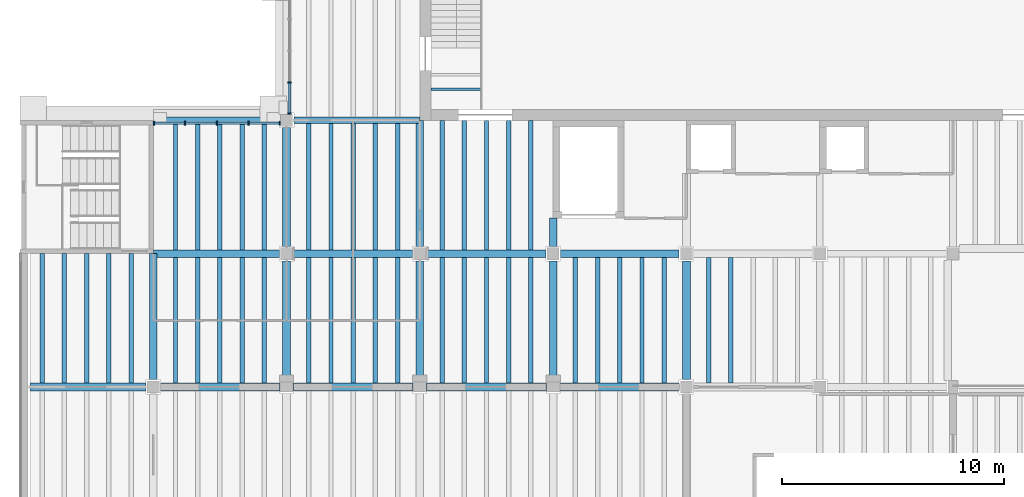
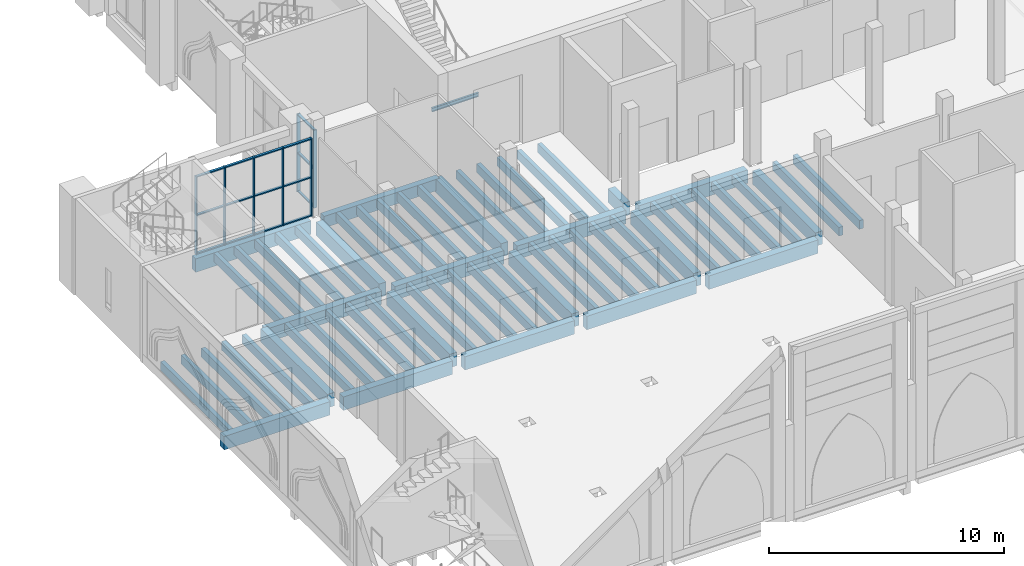
# One storey, part 3 of 80: 62 beams, 22 members, 2 elements without a shape of their own.
"""IFC4 building model written with IfcOpenShell, lengths in metres."""

from ifc_helpers import new_model, si_unit, direction, frame, origin, origin_2d, place, context, subcontext, project, spatial, rectangle, i_section, extrude, material, material_profile, profile_set, type_object, element, aggregate, save


model = new_model("IFC4")

# Units and contexts
model_context = context("Model", 3, precision=1e-05, world=origin(), true_north=direction((0.0, 1.0)))
body_context = subcontext(model_context, "Body", "Model", "MODEL_VIEW")
ifc_project = project(units=[si_unit("LENGTHUNIT", "METRE"), si_unit("AREAUNIT", "SQUARE_METRE"), si_unit("VOLUMEUNIT", "CUBIC_METRE"), si_unit("PLANEANGLEUNIT", "RADIAN"), si_unit("MASSUNIT", "GRAM", prefix="KILO")], contexts=[model_context])

# Site, building, storey
site_placement = place(None, origin())
site = spatial("IfcSite", under=ifc_project, at=site_placement, CompositionType="ELEMENT")
building_placement = place(site_placement, origin())
building = spatial("IfcBuilding", under=site, at=building_placement, Name="Saffron Lane Theatres", CompositionType="ELEMENT")
storey_placement = place(building_placement, frame((0.0, 0.0, 7.0)))
storey = spatial("IfcBuildingStorey", under=building, at=storey_placement, Name="L01", CompositionType="ELEMENT", Elevation=7.0)

# Curtain wall, members
ifc_material_1 = material(Name="Aluminium", Category="aluminium")
curtain_wall_type_1 = type_object("IfcCurtainWallType", Name="EX-CURTAIN WALL 5720x4050x160", PredefinedType="NOTDEFINED", material=ifc_material_1)
curtain_wall_1_placement = place(storey_placement, origin())
curtain_wall_1 = element("IfcCurtainWall", 1, at=curtain_wall_1_placement, inside=storey, type_object=curtain_wall_type_1, Name="Curtain wall L01 01", PredefinedType="NOTDEFINED")
ifc_material_2 = material(Name="Aluminium", Category="aluminium")
ifc_material_profile_1 = material_profile(ifc_material_2, rectangle(XDim=0.06005859375, YDim=0.159912109375, at=origin_2d()))
ifc_profile_set_1 = profile_set([ifc_material_profile_1], Name="Aluminium")
member_type_1 = type_object("IfcMemberType", Name="EX-CW MULLION 60x160", PredefinedType="MULLION", material=ifc_profile_set_1)
member_1_placement = place(storey_placement, frame((6.030029296875, 29.8701171875, 0.0), z_axis=(0.0, 0.0, 1.0), x_axis=(1.0, 0.0, 0.0)))
member_1 = element("IfcMember", 2, at=member_1_placement, type_object=member_type_1, Name="CW-01-01 mullion 1", PredefinedType="MULLION", context=body_context, shape_type="SweptSolid", body=[
    extrude(rectangle(XDim=0.06005859375, YDim=0.159912109375, at=origin_2d()), origin(), (0.0, 0.0, 1.0), 4.050048828125),
])
member_2_placement = place(storey_placement, frame((7.43115234375, 29.8701171875, 0.0), z_axis=(0.0, 0.0, 1.0), x_axis=(1.0, 0.0, 0.0)))
member_2 = element("IfcMember", 3, at=member_2_placement, type_object=member_type_1, Name="CW-01-01 mullion 2", PredefinedType="MULLION", context=body_context, shape_type="SweptSolid", body=[
    extrude(rectangle(XDim=0.06005859375, YDim=0.159912109375, at=origin_2d()), origin(), (0.0, 0.0, 1.0), 4.050048828125),
])
member_3_placement = place(storey_placement, frame((8.862548828125, 29.8701171875, 0.0), z_axis=(0.0, 0.0, 1.0), x_axis=(1.0, 0.0, 0.0)))
member_3 = element("IfcMember", 4, at=member_3_placement, type_object=member_type_1, Name="CW-01-01 mullion 3", PredefinedType="MULLION", context=body_context, shape_type="SweptSolid", body=[
    extrude(rectangle(XDim=0.06005859375, YDim=0.159912109375, at=origin_2d()), origin(), (0.0, 0.0, 1.0), 4.050048828125),
])
member_4_placement = place(storey_placement, frame((10.293701171875, 29.8701171875, 0.0), z_axis=(0.0, 0.0, 1.0), x_axis=(1.0, 0.0, 0.0)))
member_4 = element("IfcMember", 5, at=member_4_placement, type_object=member_type_1, Name="CW-01-01 mullion 4", PredefinedType="MULLION", context=body_context, shape_type="SweptSolid", body=[
    extrude(rectangle(XDim=0.06005859375, YDim=0.159912109375, at=origin_2d()), origin(), (0.0, 0.0, 1.0), 4.050048828125),
])
member_5_placement = place(storey_placement, frame((11.695068359375, 29.8701171875, 0.0), z_axis=(0.0, 0.0, 1.0), x_axis=(1.0, 0.0, 0.0)))
member_5 = element("IfcMember", 6, at=member_5_placement, type_object=member_type_1, Name="CW-01-01 mullion 5", PredefinedType="MULLION", context=body_context, shape_type="SweptSolid", body=[
    extrude(rectangle(XDim=0.06005859375, YDim=0.159912109375, at=origin_2d()), origin(), (0.0, 0.0, 1.0), 4.050048828125),
])

ifc_material_3 = material(Name="Aluminium", Category="aluminium")
curtain_wall_type_2 = type_object("IfcCurtainWallType", Name="EX-CURTAIN WALL 5730x4050x160", PredefinedType="NOTDEFINED", material=ifc_material_3)
curtain_wall_2_placement = place(storey_placement, origin())
curtain_wall_2 = element("IfcCurtainWall", 7, at=curtain_wall_2_placement, inside=storey, type_object=curtain_wall_type_2, Name="Curtain wall L01 02", PredefinedType="NOTDEFINED")
member_6_placement = place(storey_placement, frame((12.1298828125, 30.304931640625, 0.0), z_axis=(0.0, 0.0, 1.0), x_axis=(0.0, 1.0, 0.0)))
member_6 = element("IfcMember", 8, at=member_6_placement, type_object=member_type_1, Name="CW-01-02 mullion 1", PredefinedType="MULLION", context=body_context, shape_type="SweptSolid", body=[
    extrude(rectangle(XDim=0.06005859375, YDim=0.159912109375, at=origin_2d()), origin(), (0.0, 0.0, 1.0), 4.050048828125),
])
member_7_placement = place(storey_placement, frame((12.1298828125, 31.706298828125, 0.0), z_axis=(0.0, 0.0, 1.0), x_axis=(0.0, 1.0, 0.0)))
member_7 = element("IfcMember", 9, at=member_7_placement, type_object=member_type_1, Name="CW-01-02 mullion 2", PredefinedType="MULLION", context=body_context, shape_type="SweptSolid", body=[
    extrude(rectangle(XDim=0.06005859375, YDim=0.159912109375, at=origin_2d()), origin(), (0.0, 0.0, 1.0), 4.050048828125),
])

# Member
ifc_material_4 = material(Name="Aluminium", Category="aluminium")
ifc_material_profile_2 = material_profile(ifc_material_4, rectangle(XDim=0.1201171875, YDim=0.06005859375, at=origin_2d()))
ifc_profile_set_2 = profile_set([ifc_material_profile_2], Name="Aluminium")
member_type_2 = type_object("IfcMemberType", Name="EX-CW TRANSOM 120x60", PredefinedType="USERDEFINED", material=ifc_profile_set_2)
member_8_placement = place(storey_placement, frame((6.06005859375, 29.8701171875, 0.030029296875), z_axis=(1.0, 0.0, 0.0), x_axis=(0.0, 1.0, 0.0)))
member_8 = element("IfcMember", 10, at=member_8_placement, type_object=member_type_2, Name="CW-01-01 transom 1.1", ObjectType="TRANSOM", PredefinedType="USERDEFINED", context=body_context, shape_type="SweptSolid", body=[
    extrude(rectangle(XDim=0.1201171875, YDim=0.06005859375, at=origin_2d()), origin(), (0.0, 0.0, 1.0), 1.34130859375),
])

member_9_placement = place(storey_placement, frame((6.06005859375, 29.8701171875, 2.02490234375), z_axis=(1.0, 0.0, 0.0), x_axis=(0.0, 1.0, 0.0)))
member_9 = element("IfcMember", 11, at=member_9_placement, type_object=member_type_2, Name="CW-01-01 transom 1.2", ObjectType="TRANSOM", PredefinedType="USERDEFINED", context=body_context, shape_type="SweptSolid", body=[
    extrude(rectangle(XDim=0.1201171875, YDim=0.06005859375, at=origin_2d()), origin(), (0.0, 0.0, 1.0), 1.34130859375),
])

member_10_placement = place(storey_placement, frame((6.06005859375, 29.8701171875, 4.02001953125), z_axis=(1.0, 0.0, 0.0), x_axis=(0.0, 1.0, 0.0)))
member_10 = element("IfcMember", 12, at=member_10_placement, type_object=member_type_2, Name="CW-01-01 transom 1.3", ObjectType="TRANSOM", PredefinedType="USERDEFINED", context=body_context, shape_type="SweptSolid", body=[
    extrude(rectangle(XDim=0.1201171875, YDim=0.06005859375, at=origin_2d()), origin(), (0.0, 0.0, 1.0), 1.34130859375),
])

member_11_placement = place(storey_placement, frame((7.461181640625, 29.8701171875, 0.030029296875), z_axis=(1.0, 0.0, 0.0), x_axis=(0.0, 1.0, 0.0)))
member_11 = element("IfcMember", 13, at=member_11_placement, type_object=member_type_2, Name="CW-01-01 transom 2.1", ObjectType="TRANSOM", PredefinedType="USERDEFINED", context=body_context, shape_type="SweptSolid", body=[
    extrude(rectangle(XDim=0.1201171875, YDim=0.06005859375, at=origin_2d()), origin(), (0.0, 0.0, 1.0), 1.371337890625),
])

member_12_placement = place(storey_placement, frame((7.461181640625, 29.8701171875, 2.02490234375), z_axis=(1.0, 0.0, 0.0), x_axis=(0.0, 1.0, 0.0)))
member_12 = element("IfcMember", 14, at=member_12_placement, type_object=member_type_2, Name="CW-01-01 transom 2.2", ObjectType="TRANSOM", PredefinedType="USERDEFINED", context=body_context, shape_type="SweptSolid", body=[
    extrude(rectangle(XDim=0.1201171875, YDim=0.06005859375, at=origin_2d()), origin(), (0.0, 0.0, 1.0), 1.371337890625),
])

member_13_placement = place(storey_placement, frame((7.461181640625, 29.8701171875, 4.02001953125), z_axis=(1.0, 0.0, 0.0), x_axis=(0.0, 1.0, 0.0)))
member_13 = element("IfcMember", 15, at=member_13_placement, type_object=member_type_2, Name="CW-01-01 transom 2.3", ObjectType="TRANSOM", PredefinedType="USERDEFINED", context=body_context, shape_type="SweptSolid", body=[
    extrude(rectangle(XDim=0.1201171875, YDim=0.06005859375, at=origin_2d()), origin(), (0.0, 0.0, 1.0), 1.371337890625),
])

member_14_placement = place(storey_placement, frame((8.892578125, 29.8701171875, 0.030029296875), z_axis=(1.0, 0.0, 0.0), x_axis=(0.0, 1.0, 0.0)))
member_14 = element("IfcMember", 16, at=member_14_placement, type_object=member_type_2, Name="CW-01-01 transom 3.1", ObjectType="TRANSOM", PredefinedType="USERDEFINED", context=body_context, shape_type="SweptSolid", body=[
    extrude(rectangle(XDim=0.1201171875, YDim=0.06005859375, at=origin_2d()), origin(), (0.0, 0.0, 1.0), 1.371337890625),
])

member_15_placement = place(storey_placement, frame((8.892578125, 29.8701171875, 2.02490234375), z_axis=(1.0, 0.0, 0.0), x_axis=(0.0, 1.0, 0.0)))
member_15 = element("IfcMember", 17, at=member_15_placement, type_object=member_type_2, Name="CW-01-01 transom 3.2", ObjectType="TRANSOM", PredefinedType="USERDEFINED", context=body_context, shape_type="SweptSolid", body=[
    extrude(rectangle(XDim=0.1201171875, YDim=0.06005859375, at=origin_2d()), origin(), (0.0, 0.0, 1.0), 1.371337890625),
])

member_16_placement = place(storey_placement, frame((8.892578125, 29.8701171875, 4.02001953125), z_axis=(1.0, 0.0, 0.0), x_axis=(0.0, 1.0, 0.0)))
member_16 = element("IfcMember", 18, at=member_16_placement, type_object=member_type_2, Name="CW-01-01 transom 3.3", ObjectType="TRANSOM", PredefinedType="USERDEFINED", context=body_context, shape_type="SweptSolid", body=[
    extrude(rectangle(XDim=0.1201171875, YDim=0.06005859375, at=origin_2d()), origin(), (0.0, 0.0, 1.0), 1.371337890625),
])

member_17_placement = place(storey_placement, frame((10.32373046875, 29.8701171875, 0.030029296875), z_axis=(1.0, 0.0, 0.0), x_axis=(0.0, 1.0, 0.0)))
member_17 = element("IfcMember", 19, at=member_17_placement, type_object=member_type_2, Name="CW-01-01 transom 4.1", ObjectType="TRANSOM", PredefinedType="USERDEFINED", context=body_context, shape_type="SweptSolid", body=[
    extrude(rectangle(XDim=0.1201171875, YDim=0.06005859375, at=origin_2d()), origin(), (0.0, 0.0, 1.0), 1.34130859375),
])

member_18_placement = place(storey_placement, frame((10.32373046875, 29.8701171875, 2.02490234375), z_axis=(1.0, 0.0, 0.0), x_axis=(0.0, 1.0, 0.0)))
member_18 = element("IfcMember", 20, at=member_18_placement, type_object=member_type_2, Name="CW-01-01 transom 4.2", ObjectType="TRANSOM", PredefinedType="USERDEFINED", context=body_context, shape_type="SweptSolid", body=[
    extrude(rectangle(XDim=0.1201171875, YDim=0.06005859375, at=origin_2d()), origin(), (0.0, 0.0, 1.0), 1.34130859375),
])

member_19_placement = place(storey_placement, frame((10.32373046875, 29.8701171875, 4.02001953125), z_axis=(1.0, 0.0, 0.0), x_axis=(0.0, 1.0, 0.0)))
member_19 = element("IfcMember", 21, at=member_19_placement, type_object=member_type_2, Name="CW-01-01 transom 4.3", ObjectType="TRANSOM", PredefinedType="USERDEFINED", context=body_context, shape_type="SweptSolid", body=[
    extrude(rectangle(XDim=0.1201171875, YDim=0.06005859375, at=origin_2d()), origin(), (0.0, 0.0, 1.0), 1.34130859375),
])

aggregate(curtain_wall_1, [member_1, member_2, member_3, member_4, member_5, member_8, member_9, member_10, member_11, member_12, member_13, member_14, member_15, member_16, member_17, member_18, member_19])

member_20_placement = place(storey_placement, frame((12.1298828125, 30.3349609375, 0.030029296875), z_axis=(0.0, 1.0, 0.0), x_axis=(-1.0, 0.0, 0.0)))
member_20 = element("IfcMember", 22, at=member_20_placement, type_object=member_type_2, Name="CW-01-02 transom 1.1", ObjectType="TRANSOM", PredefinedType="USERDEFINED", context=body_context, shape_type="SweptSolid", body=[
    extrude(rectangle(XDim=0.1201171875, YDim=0.06005859375, at=origin_2d()), origin(), (0.0, 0.0, 1.0), 1.34130859375),
])

member_21_placement = place(storey_placement, frame((12.1298828125, 30.3349609375, 2.02490234375), z_axis=(0.0, 1.0, 0.0), x_axis=(-1.0, 0.0, 0.0)))
member_21 = element("IfcMember", 23, at=member_21_placement, type_object=member_type_2, Name="CW-01-02 transom 1.2", ObjectType="TRANSOM", PredefinedType="USERDEFINED", context=body_context, shape_type="SweptSolid", body=[
    extrude(rectangle(XDim=0.1201171875, YDim=0.06005859375, at=origin_2d()), origin(), (0.0, 0.0, 1.0), 1.34130859375),
])

member_22_placement = place(storey_placement, frame((12.1298828125, 30.3349609375, 4.02001953125), z_axis=(0.0, 1.0, 0.0), x_axis=(-1.0, 0.0, 0.0)))
member_22 = element("IfcMember", 24, at=member_22_placement, type_object=member_type_2, Name="CW-01-02 transom 1.3", ObjectType="TRANSOM", PredefinedType="USERDEFINED", context=body_context, shape_type="SweptSolid", body=[
    extrude(rectangle(XDim=0.1201171875, YDim=0.06005859375, at=origin_2d()), origin(), (0.0, 0.0, 1.0), 1.34130859375),
])

aggregate(curtain_wall_2, [member_6, member_7, member_20, member_21, member_22])

# Beams
ifc_material_5 = material(Name="Concrete N40 (40 MPa)", Category="concrete")
ifc_material_profile_3 = material_profile(ifc_material_5, rectangle(XDim=0.300048828125, YDim=0.60009765625, at=origin_2d()))
ifc_profile_set_3 = profile_set([ifc_material_profile_3], Name="Concrete N40 (40 MPa)")
beam_type_1 = type_object("IfcBeamType", Name="RC-BEAM 300x600", PredefinedType="BEAM", material=ifc_profile_set_3)
beam_1_placement = place(storey_placement, frame((12.324951171875, 30.0, -0.550048828125), z_axis=(1.0, 0.0, 0.0), x_axis=(0.0, 1.0, 0.0)))
element("IfcBeam", 25, at=beam_1_placement, inside=storey, type_object=beam_type_1, Name="beam-L01-x300-123", PredefinedType="BEAM", context=body_context, shape_type="SweptSolid", body=[
    extrude(rectangle(XDim=0.300048828125, YDim=0.60009765625, at=origin_2d()), origin(), (0.0, 0.0, 1.0), 5.675048828125),
])
ifc_material_6 = material(Name="Concrete N40 (40 MPa)", Category="concrete")
ifc_material_profile_4 = material_profile(ifc_material_6, rectangle(XDim=0.300048828125, YDim=0.699951171875, at=origin_2d()))
ifc_profile_set_4 = profile_set([ifc_material_profile_4], Name="Concrete N40 (40 MPa)")
beam_type_2 = type_object("IfcBeamType", Name="RC-BEAM 300x700", PredefinedType="BEAM", material=ifc_profile_set_4)
beam_2_placement = place(storey_placement, frame((6.0, 30.0, -0.60009765625), z_axis=(1.0, 0.0, 0.0), x_axis=(0.0, 1.0, 0.0)))
element("IfcBeam", 26, at=beam_2_placement, inside=storey, type_object=beam_type_2, Name="beam-L01-x300-60", PredefinedType="BEAM", context=body_context, shape_type="SweptSolid", body=[
    extrude(rectangle(XDim=0.300048828125, YDim=0.699951171875, at=origin_2d()), origin(), (0.0, 0.0, 1.0), 5.675048828125),
])
ifc_material_7 = material(Name="Concrete N40 (40 MPa)", Category="concrete")
ifc_material_profile_5 = material_profile(ifc_material_7, rectangle(XDim=0.35009765625, YDim=0.699951171875, at=origin_2d()))
ifc_profile_set_5 = profile_set([ifc_material_profile_5], Name="Concrete N40 (40 MPa)")
beam_type_3 = type_object("IfcBeamType", Name="RC-BEAM 350x700", PredefinedType="BEAM", material=ifc_profile_set_5)
beam_3_placement = place(storey_placement, frame((0.4599609375, 18.0, -0.60009765625), z_axis=(1.0, 0.0, 0.0), x_axis=(0.0, 1.0, 0.0)))
element("IfcBeam", 27, at=beam_3_placement, inside=storey, type_object=beam_type_3, Name="beam-L01-x180-5", PredefinedType="BEAM", context=body_context, shape_type="SweptSolid", body=[
    extrude(rectangle(XDim=0.35009765625, YDim=0.699951171875, at=origin_2d()), origin(), (0.0, 0.0, 1.0), 5.215087890625),
])
beam_4_placement = place(storey_placement, frame((6.324951171875, 18.0, -0.60009765625), z_axis=(1.0, 0.0, 0.0), x_axis=(0.0, 1.0, 0.0)))
element("IfcBeam", 28, at=beam_4_placement, inside=storey, type_object=beam_type_3, Name="beam-L01-x180-63", PredefinedType="BEAM", context=body_context, shape_type="SweptSolid", body=[
    extrude(rectangle(XDim=0.35009765625, YDim=0.699951171875, at=origin_2d()), origin(), (0.0, 0.0, 1.0), 5.375),
])
for number, where, z_axis, x_axis, name in (
    (29, (12.300048828125, 18.0, -0.60009765625), (1.0, 0.0, 0.0), (0.0, 1.0, 0.0), "beam-L01-x180-123"),
    (30, (18.300048828125, 18.0, -0.60009765625), (1.0, 0.0, 0.0), (0.0, 1.0, 0.0), "beam-L01-x180-183"),
):
    element("IfcBeam", number, at=place(storey_placement, frame(where, z_axis=z_axis, x_axis=x_axis)), inside=storey, type_object=beam_type_3, Name=name, PredefinedType="BEAM", context=body_context, shape_type="SweptSolid", body=[
        extrude(rectangle(XDim=0.35009765625, YDim=0.699951171875, at=origin_2d()), origin(), (0.0, 0.0, 1.0), 5.39990234375),
    ])
beam_5_placement = place(storey_placement, frame((24.300048828125, 18.0, -0.60009765625), z_axis=(1.0, 0.0, 0.0), x_axis=(0.0, 1.0, 0.0)))
element("IfcBeam", 31, at=beam_5_placement, inside=storey, type_object=beam_type_3, Name="beam-L01-x180-243", PredefinedType="BEAM", context=body_context, shape_type="SweptSolid", body=[
    extrude(rectangle(XDim=0.35009765625, YDim=0.699951171875, at=origin_2d()), origin(), (0.0, 0.0, 1.0), 5.375),
])
beam_6_placement = place(storey_placement, frame((6.0, 24.0, -0.60009765625), z_axis=(1.0, 0.0, 0.0), x_axis=(0.0, 1.0, 0.0)))
element("IfcBeam", 32, at=beam_6_placement, inside=storey, type_object=beam_type_3, Name="beam-L01-x240-60", PredefinedType="BEAM", context=body_context, shape_type="SweptSolid", body=[
    extrude(rectangle(XDim=0.35009765625, YDim=0.699951171875, at=origin_2d()), origin(), (0.0, 0.0, 1.0), 5.675048828125),
])
for number, where, z_axis, x_axis, name in (
    (33, (12.324951171875, 24.0, -0.60009765625), (1.0, 0.0, 0.0), (0.0, 1.0, 0.0), "beam-L01-x240-123"),
    (34, (18.324951171875, 24.0, -0.60009765625), (1.0, 0.0, 0.0), (0.0, 1.0, 0.0), "beam-L01-x240-183"),
    (35, (24.324951171875, 24.0, -0.60009765625), (1.0, 0.0, 0.0), (0.0, 1.0, 0.0), "beam-L01-x240-243"),
):
    element("IfcBeam", number, at=place(storey_placement, frame(where, z_axis=z_axis, x_axis=x_axis)), inside=storey, type_object=beam_type_3, Name=name, PredefinedType="BEAM", context=body_context, shape_type="SweptSolid", body=[
        extrude(rectangle(XDim=0.35009765625, YDim=0.699951171875, at=origin_2d()), origin(), (0.0, 0.0, 1.0), 5.35009765625),
    ])
beam_7_placement = place(storey_placement, frame((6.0, 18.324951171875, -0.60009765625), z_axis=(0.0, 1.0, 0.0), x_axis=(-1.0, 0.0, 0.0)))
element("IfcBeam", 36, at=beam_7_placement, inside=storey, type_object=beam_type_3, Name="beam-L01-y60-183", PredefinedType="BEAM", context=body_context, shape_type="SweptSolid", body=[
    extrude(rectangle(XDim=0.35009765625, YDim=0.699951171875, at=origin_2d()), origin(), (0.0, 0.0, 1.0), 5.675048828125),
])
beam_8_placement = place(storey_placement, frame((12.0, 18.300048828125, -0.60009765625), z_axis=(0.0, 1.0, 0.0), x_axis=(-1.0, 0.0, 0.0)))
element("IfcBeam", 37, at=beam_8_placement, inside=storey, type_object=beam_type_3, Name="beam-L01-y120-183", PredefinedType="BEAM", context=body_context, shape_type="SweptSolid", body=[
    extrude(rectangle(XDim=0.35009765625, YDim=0.699951171875, at=origin_2d()), origin(), (0.0, 0.0, 1.0), 5.375),
])
beam_9_placement = place(storey_placement, frame((12.0, 24.324951171875, -0.60009765625), z_axis=(0.0, 1.0, 0.0), x_axis=(-1.0, 0.0, 0.0)))
element("IfcBeam", 38, at=beam_9_placement, inside=storey, type_object=beam_type_3, Name="beam-L01-y120-243", PredefinedType="BEAM", context=body_context, shape_type="SweptSolid", body=[
    extrude(rectangle(XDim=0.35009765625, YDim=0.699951171875, at=origin_2d()), origin(), (0.0, 0.0, 1.0), 5.35009765625),
])
beam_10_placement = place(storey_placement, frame((18.0, 18.300048828125, -0.60009765625), z_axis=(0.0, 1.0, 0.0), x_axis=(-1.0, 0.0, 0.0)))
element("IfcBeam", 39, at=beam_10_placement, inside=storey, type_object=beam_type_3, Name="beam-L01-y180-183", PredefinedType="BEAM", context=body_context, shape_type="SweptSolid", body=[
    extrude(rectangle(XDim=0.35009765625, YDim=0.699951171875, at=origin_2d()), origin(), (0.0, 0.0, 1.0), 5.375),
])
beam_11_placement = place(storey_placement, frame((18.0, 24.324951171875, -0.60009765625), z_axis=(0.0, 1.0, 0.0), x_axis=(-1.0, 0.0, 0.0)))
element("IfcBeam", 40, at=beam_11_placement, inside=storey, type_object=beam_type_3, Name="beam-L01-y180-243", PredefinedType="BEAM", context=body_context, shape_type="SweptSolid", body=[
    extrude(rectangle(XDim=0.35009765625, YDim=0.699951171875, at=origin_2d()), origin(), (0.0, 0.0, 1.0), 5.675048828125),
])
beam_12_placement = place(storey_placement, frame((24.0, 18.300048828125, -0.60009765625), z_axis=(0.0, 1.0, 0.0), x_axis=(-1.0, 0.0, 0.0)))
element("IfcBeam", 41, at=beam_12_placement, inside=storey, type_object=beam_type_3, Name="beam-L01-y240-183", PredefinedType="BEAM", context=body_context, shape_type="SweptSolid", body=[
    extrude(rectangle(XDim=0.35009765625, YDim=0.699951171875, at=origin_2d()), origin(), (0.0, 0.0, 1.0), 5.375),
])
beam_13_placement = place(storey_placement, frame((24.0, 24.324951171875, -0.60009765625), z_axis=(0.0, 1.0, 0.0), x_axis=(-1.0, 0.0, 0.0)))
element("IfcBeam", 42, at=beam_13_placement, inside=storey, type_object=beam_type_3, Name="beam-L01-y240-243", PredefinedType="BEAM", context=body_context, shape_type="SweptSolid", body=[
    extrude(rectangle(XDim=0.35009765625, YDim=0.699951171875, at=origin_2d()), origin(), (0.0, 0.0, 1.0), 1.275146484375),
])
beam_14_placement = place(storey_placement, frame((30.0, 18.324951171875, -0.60009765625), z_axis=(0.0, 1.0, 0.0), x_axis=(-1.0, 0.0, 0.0)))
element("IfcBeam", 43, at=beam_14_placement, inside=storey, type_object=beam_type_3, Name="beam-L01-y300-183", PredefinedType="BEAM", context=body_context, shape_type="SweptSolid", body=[
    extrude(rectangle(XDim=0.35009765625, YDim=0.699951171875, at=origin_2d()), origin(), (0.0, 0.0, 1.0), 5.35009765625),
])
ifc_material_8 = material(Name="Concrete N40 (40 MPa)", Category="concrete")
ifc_material_profile_6 = material_profile(ifc_material_8, rectangle(XDim=0.199951171875, YDim=0.449951171875, at=origin_2d()))
ifc_profile_set_6 = profile_set([ifc_material_profile_6], Name="Concrete N40 (40 MPa)")
beam_type_4 = type_object("IfcBeamType", Name="RC-JOIST 200x450", PredefinedType="JOIST", material=ifc_profile_set_6)
for number, where, z_axis, x_axis, name in (
    (44, (1.0, 18.175048828125, -0.47509765625), (0.0, 1.0, 0.0), (-1.0, 0.0, 0.0), "joist-L01-y100-182"),
    (45, (2.0, 18.175048828125, -0.47509765625), (0.0, 1.0, 0.0), (-1.0, 0.0, 0.0), "joist-L01-y200-182"),
    (46, (3.0, 18.175048828125, -0.47509765625), (0.0, 1.0, 0.0), (-1.0, 0.0, 0.0), "joist-L01-y300-182"),
    (47, (4.0, 18.175048828125, -0.47509765625), (0.0, 1.0, 0.0), (-1.0, 0.0, 0.0), "joist-L01-y400-182"),
    (48, (5.0, 18.175048828125, -0.47509765625), (0.0, 1.0, 0.0), (-1.0, 0.0, 0.0), "joist-L01-y500-182"),
):
    element("IfcBeam", number, at=place(storey_placement, frame(where, z_axis=z_axis, x_axis=x_axis)), inside=storey, type_object=beam_type_4, Name=name, PredefinedType="JOIST", context=body_context, shape_type="SweptSolid", body=[
        extrude(rectangle(XDim=0.199951171875, YDim=0.449951171875, at=origin_2d()), origin(), (0.0, 0.0, 1.0), 5.824951171875),
    ])
for number, where, z_axis, x_axis, name in (
    (49, (7.0, 18.175048828125, -0.47509765625), (0.0, 1.0, 0.0), (-1.0, 0.0, 0.0), "joist-L01-y700-182"),
    (50, (8.0, 18.175048828125, -0.47509765625), (0.0, 1.0, 0.0), (-1.0, 0.0, 0.0), "joist-L01-y800-182"),
    (51, (9.0, 18.175048828125, -0.47509765625), (0.0, 1.0, 0.0), (-1.0, 0.0, 0.0), "joist-L01-y900-182"),
    (52, (10.0, 18.175048828125, -0.47509765625), (0.0, 1.0, 0.0), (-1.0, 0.0, 0.0), "joist-L01-y1000-182"),
    (53, (11.0, 18.175048828125, -0.47509765625), (0.0, 1.0, 0.0), (-1.0, 0.0, 0.0), "joist-L01-y1100-182"),
):
    element("IfcBeam", number, at=place(storey_placement, frame(where, z_axis=z_axis, x_axis=x_axis)), inside=storey, type_object=beam_type_4, Name=name, PredefinedType="JOIST", context=body_context, shape_type="SweptSolid", body=[
        extrude(rectangle(XDim=0.199951171875, YDim=0.449951171875, at=origin_2d()), origin(), (0.0, 0.0, 1.0), 5.64990234375),
    ])
for number, where, z_axis, x_axis, name in (
    (54, (7.0, 24.175048828125, -0.47509765625), (0.0, 1.0, 0.0), (-1.0, 0.0, 0.0), "joist-L01-y700-242"),
    (55, (8.0, 24.175048828125, -0.47509765625), (0.0, 1.0, 0.0), (-1.0, 0.0, 0.0), "joist-L01-y800-242"),
    (56, (9.0, 24.175048828125, -0.47509765625), (0.0, 1.0, 0.0), (-1.0, 0.0, 0.0), "joist-L01-y900-242"),
    (57, (10.0, 24.175048828125, -0.47509765625), (0.0, 1.0, 0.0), (-1.0, 0.0, 0.0), "joist-L01-y1000-242"),
    (58, (11.0, 24.175048828125, -0.47509765625), (0.0, 1.0, 0.0), (-1.0, 0.0, 0.0), "joist-L01-y1100-242"),
):
    element("IfcBeam", number, at=place(storey_placement, frame(where, z_axis=z_axis, x_axis=x_axis)), inside=storey, type_object=beam_type_4, Name=name, PredefinedType="JOIST", context=body_context, shape_type="SweptSolid", body=[
        extrude(rectangle(XDim=0.199951171875, YDim=0.449951171875, at=origin_2d()), origin(), (0.0, 0.0, 1.0), 5.675048828125),
    ])
for number, where, z_axis, x_axis, name in (
    (59, (13.0, 18.175048828125, -0.47509765625), (0.0, 1.0, 0.0), (-1.0, 0.0, 0.0), "joist-L01-y1300-182"),
    (60, (14.0, 18.175048828125, -0.47509765625), (0.0, 1.0, 0.0), (-1.0, 0.0, 0.0), "joist-L01-y1400-182"),
    (61, (15.0, 18.175048828125, -0.47509765625), (0.0, 1.0, 0.0), (-1.0, 0.0, 0.0), "joist-L01-y1500-182"),
    (62, (16.0, 18.175048828125, -0.47509765625), (0.0, 1.0, 0.0), (-1.0, 0.0, 0.0), "joist-L01-y1600-182"),
    (63, (17.0, 18.175048828125, -0.47509765625), (0.0, 1.0, 0.0), (-1.0, 0.0, 0.0), "joist-L01-y1700-182"),
):
    element("IfcBeam", number, at=place(storey_placement, frame(where, z_axis=z_axis, x_axis=x_axis)), inside=storey, type_object=beam_type_4, Name=name, PredefinedType="JOIST", context=body_context, shape_type="SweptSolid", body=[
        extrude(rectangle(XDim=0.199951171875, YDim=0.449951171875, at=origin_2d()), origin(), (0.0, 0.0, 1.0), 5.64990234375),
    ])
for number, where, z_axis, x_axis, name in (
    (64, (13.0, 24.175048828125, -0.47509765625), (0.0, 1.0, 0.0), (-1.0, 0.0, 0.0), "joist-L01-y1300-242"),
    (65, (14.0, 24.175048828125, -0.47509765625), (0.0, 1.0, 0.0), (-1.0, 0.0, 0.0), "joist-L01-y1400-242"),
    (66, (15.0, 24.175048828125, -0.47509765625), (0.0, 1.0, 0.0), (-1.0, 0.0, 0.0), "joist-L01-y1500-242"),
    (67, (16.0, 24.175048828125, -0.47509765625), (0.0, 1.0, 0.0), (-1.0, 0.0, 0.0), "joist-L01-y1600-242"),
    (68, (17.0, 24.175048828125, -0.47509765625), (0.0, 1.0, 0.0), (-1.0, 0.0, 0.0), "joist-L01-y1700-242"),
):
    element("IfcBeam", number, at=place(storey_placement, frame(where, z_axis=z_axis, x_axis=x_axis)), inside=storey, type_object=beam_type_4, Name=name, PredefinedType="JOIST", context=body_context, shape_type="SweptSolid", body=[
        extrude(rectangle(XDim=0.199951171875, YDim=0.449951171875, at=origin_2d()), origin(), (0.0, 0.0, 1.0), 5.675048828125),
    ])
for number, where, z_axis, x_axis, name in (
    (69, (19.0, 18.175048828125, -0.47509765625), (0.0, 1.0, 0.0), (-1.0, 0.0, 0.0), "joist-L01-y1900-182"),
    (70, (20.0, 18.175048828125, -0.47509765625), (0.0, 1.0, 0.0), (-1.0, 0.0, 0.0), "joist-L01-y2000-182"),
    (71, (21.0, 18.175048828125, -0.47509765625), (0.0, 1.0, 0.0), (-1.0, 0.0, 0.0), "joist-L01-y2100-182"),
    (72, (22.0, 18.175048828125, -0.47509765625), (0.0, 1.0, 0.0), (-1.0, 0.0, 0.0), "joist-L01-y2200-182"),
    (73, (23.0, 18.175048828125, -0.47509765625), (0.0, 1.0, 0.0), (-1.0, 0.0, 0.0), "joist-L01-y2300-182"),
):
    element("IfcBeam", number, at=place(storey_placement, frame(where, z_axis=z_axis, x_axis=x_axis)), inside=storey, type_object=beam_type_4, Name=name, PredefinedType="JOIST", context=body_context, shape_type="SweptSolid", body=[
        extrude(rectangle(XDim=0.199951171875, YDim=0.449951171875, at=origin_2d()), origin(), (0.0, 0.0, 1.0), 5.64990234375),
    ])
for number, where, z_axis, x_axis, name in (
    (74, (19.0, 24.175048828125, -0.47509765625), (0.0, 1.0, 0.0), (-1.0, 0.0, 0.0), "joist-L01-y1900-242"),
    (75, (20.0, 24.175048828125, -0.47509765625), (0.0, 1.0, 0.0), (-1.0, 0.0, 0.0), "joist-L01-y2000-242"),
    (76, (21.0, 24.175048828125, -0.47509765625), (0.0, 1.0, 0.0), (-1.0, 0.0, 0.0), "joist-L01-y2100-242"),
    (77, (22.0, 24.175048828125, -0.47509765625), (0.0, 1.0, 0.0), (-1.0, 0.0, 0.0), "joist-L01-y2200-242"),
    (78, (23.0, 24.175048828125, -0.47509765625), (0.0, 1.0, 0.0), (-1.0, 0.0, 0.0), "joist-L01-y2300-242"),
):
    element("IfcBeam", number, at=place(storey_placement, frame(where, z_axis=z_axis, x_axis=x_axis)), inside=storey, type_object=beam_type_4, Name=name, PredefinedType="JOIST", context=body_context, shape_type="SweptSolid", body=[
        extrude(rectangle(XDim=0.199951171875, YDim=0.449951171875, at=origin_2d()), origin(), (0.0, 0.0, 1.0), 5.824951171875),
    ])
for number, where, z_axis, x_axis, name in (
    (79, (25.0, 18.175048828125, -0.47509765625), (0.0, 1.0, 0.0), (-1.0, 0.0, 0.0), "joist-L01-y2500-182"),
    (80, (26.0, 18.175048828125, -0.47509765625), (0.0, 1.0, 0.0), (-1.0, 0.0, 0.0), "joist-L01-y2600-182"),
    (81, (27.0, 18.175048828125, -0.47509765625), (0.0, 1.0, 0.0), (-1.0, 0.0, 0.0), "joist-L01-y2700-182"),
    (82, (28.0, 18.175048828125, -0.47509765625), (0.0, 1.0, 0.0), (-1.0, 0.0, 0.0), "joist-L01-y2800-182"),
    (83, (29.0, 18.175048828125, -0.47509765625), (0.0, 1.0, 0.0), (-1.0, 0.0, 0.0), "joist-L01-y2900-182"),
    (84, (31.0, 18.175048828125, -0.47509765625), (0.0, 1.0, 0.0), (-1.0, 0.0, 0.0), "joist-L01-y3100-182"),
    (85, (32.0, 18.175048828125, -0.47509765625), (0.0, 1.0, 0.0), (-1.0, 0.0, 0.0), "joist-L01-y3200-182"),
):
    element("IfcBeam", number, at=place(storey_placement, frame(where, z_axis=z_axis, x_axis=x_axis)), inside=storey, type_object=beam_type_4, Name=name, PredefinedType="JOIST", context=body_context, shape_type="SweptSolid", body=[
        extrude(rectangle(XDim=0.199951171875, YDim=0.449951171875, at=origin_2d()), origin(), (0.0, 0.0, 1.0), 5.64990234375),
    ])
ifc_material_9 = material(Name="Steel Grade 350", Category="steel")
ifc_material_profile_7 = material_profile(ifc_material_9, i_section(OverallWidth=0.09912109375, OverallDepth=0.197998046875, WebThickness=0.00439453125, FlangeThickness=0.007080078125, FilletRadius=0.010986328125, at=origin_2d()))
ifc_profile_set_7 = profile_set([ifc_material_profile_7], Name="Steel Grade 350")
beam_type_5 = type_object("IfcBeamType", Name="ST-GALLERY BEAM 200UB18.2", PredefinedType="BEAM", material=ifc_profile_set_7)
beam_15_placement = place(storey_placement, frame((18.5, 31.39990234375, 2.200927734375), z_axis=(1.0, 0.0, 0.0), x_axis=(0.0, 1.0, 0.0)))
element("IfcBeam", 86, at=beam_15_placement, inside=storey, type_object=beam_type_5, Name="FLW9.5-1", PredefinedType="BEAM", context=body_context, shape_type="SweptSolid", body=[
    extrude(i_section(OverallWidth=0.09912109375, OverallDepth=0.197998046875, WebThickness=0.00439453125, FlangeThickness=0.007080078125, FilletRadius=0.010986328125, at=origin_2d()), origin(), (0.0, 0.0, 1.0), 2.300048828125),
])

save(model, "model.ifc")
